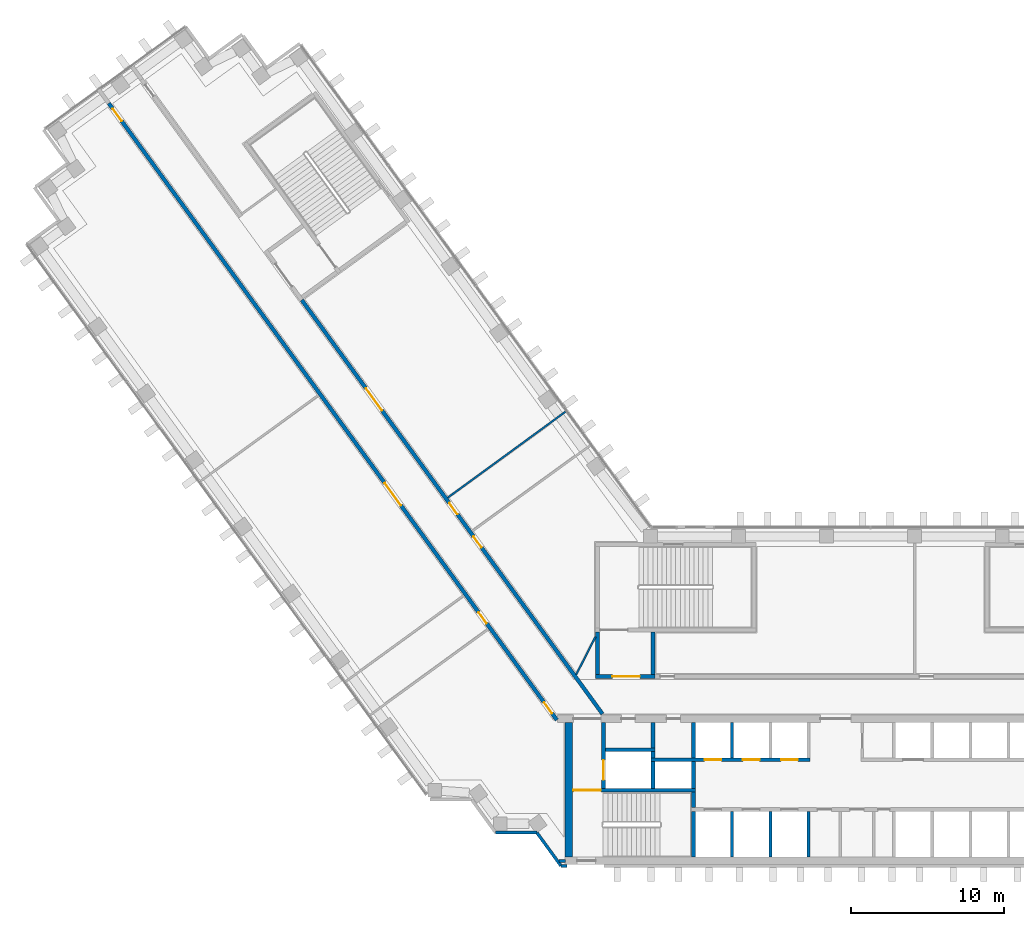
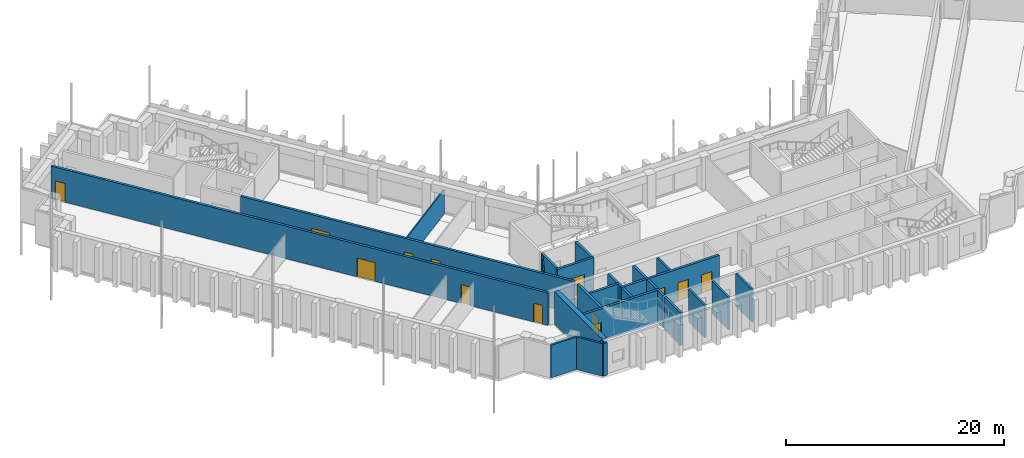
# One storey, part 9 of 16: 27 walls, 13 doors, 13 openings.
"""IFC4 building model written with IfcOpenShell, lengths in metres."""

from ifc_helpers import new_model, si_unit, direction, frame, frame_2d, origin, place, context, subcontext, project, spatial, rectangle, extrude, material, layer, layer_set, type_object, element, fill, save


model = new_model("IFC4")

# Units and contexts
model_context = context("Model", 3, precision=1e-05, world=origin(), true_north=direction((0.0, 1.0)))
body_context = subcontext(model_context, "Body", "Model", "MODEL_VIEW")
ifc_project = project(units=[si_unit("LENGTHUNIT", "METRE"), si_unit("AREAUNIT", "SQUARE_METRE"), si_unit("VOLUMEUNIT", "CUBIC_METRE"), si_unit("PLANEANGLEUNIT", "RADIAN"), si_unit("MASSUNIT", "GRAM", prefix="KILO")], contexts=[model_context])

# Site, building, storey
site_placement = place(None, origin())
site = spatial("IfcSite", under=ifc_project, at=site_placement, CompositionType="ELEMENT")
building_placement = place(site_placement, origin())
building = spatial("IfcBuilding", under=site, at=building_placement, Name="Quipu Civic Tower", CompositionType="ELEMENT")
storey_placement = place(building_placement, frame((0.0, 0.0, 89.0)))
storey = spatial("IfcBuildingStorey", under=building, at=storey_placement, Name="L20", CompositionType="ELEMENT", Elevation=89.0)

# Walls
ifc_material_1 = material(Name="Concrete C70/85", Category="concrete")
ifc_layer_1 = layer(ifc_material_1, 0.25)
ifc_layer_set_1 = layer_set([ifc_layer_1], Name="Concrete C70/85")
wall_type_1 = type_object("IfcWallType", Name="Core wall 250", PredefinedType="SHEAR", material=ifc_layer_set_1)
wall_1_placement = place(storey_placement, frame((-11.574951171875, -10.5, 0.0), z_axis=(0.0, 0.0, 1.0), x_axis=(0.0, 1.0, 0.0)))
element("IfcWall", 1, at=wall_1_placement, inside=storey, type_object=wall_type_1, Name="Core wall", PredefinedType="SHEAR", context=body_context, shape_type="SweptSolid", body=[
    extrude(rectangle(XDim=3.0, YDim=0.25, at=frame_2d((1.5, 0.0))), origin(), (0.0, 0.0, 1.0), 3.64990234375),
])
wall_2_placement = place(storey_placement, frame((-11.574951171875, -7.25, 0.0), z_axis=(0.0, 0.0, 1.0), x_axis=(0.0, 1.0, 0.0)))
element("IfcWall", 2, at=wall_2_placement, inside=storey, type_object=wall_type_1, Name="Core wall", PredefinedType="SHEAR", context=body_context, shape_type="SweptSolid", body=[
    extrude(rectangle(XDim=1.0, YDim=0.25, at=frame_2d((0.5, 0.0))), origin(), (0.0, 0.0, 1.0), 3.64990234375),
])

# Wall, opening, door
wall_3_placement = place(storey_placement, frame((-11.449951171875, -6.125, 0.0), z_axis=(0.0, 0.0, 1.0), x_axis=(-1.0, 0.0, 0.0)))
wall_3 = element("IfcWall", 3, at=wall_3_placement, inside=storey, type_object=wall_type_1, Name="Core wall", PredefinedType="SHEAR", context=body_context, shape_type="SweptSolid", body=[
    extrude(rectangle(XDim=8.050048828125, YDim=0.25, at=frame_2d((4.02490234375, 0.0))), origin(), (0.0, 0.0, 1.0), 3.64990234375),
])
opening_1_placement = place(wall_3_placement, frame((6.199951171875, 0.0, 0.0)))
opening_1 = element("IfcOpeningElement", 4, at=opening_1_placement, cuts=wall_3, Name="Opening CD-04", PredefinedType="OPENING", context=body_context, shape_type="SweptSolid", body=[
    extrude(rectangle(XDim=1.800048828125, YDim=2.10009765625, at=frame_2d((0.89990234375, 1.050048828125))), frame((0.0, 0.135009765625, 0.0), z_axis=(0.0, -1.0, 0.0), x_axis=(1.0, 0.0, 0.0)), (0.0, 0.0, 1.0), 0.27001953125),
])
ifc_material_2 = material(Name="Fire rated steel door", Category="steel")
door_type_1 = type_object("IfcDoorType", Name="Fire door FD90 double 1800 x 2100", OperationType="NOTDEFINED", PredefinedType="DOOR", material=ifc_material_2)
door_1_placement = place(opening_1_placement, origin())
door_1 = element("IfcDoor", 5, at=door_1_placement, inside=storey, type_object=door_type_1, Name="Door", OperationType="DOUBLE_DOOR_SINGLE_SWING", OverallHeight=2.10009765625, OverallWidth=1.800048828125, PredefinedType="DOOR", context=body_context, shape_type="SweptSolid", body=[
    extrude(rectangle(XDim=1.800048828125, YDim=2.10009765625, at=frame_2d((0.89990234375, 1.050048828125))), frame((0.0, 0.02490234375, 0.0), z_axis=(0.0, -1.0, 0.0), x_axis=(1.0, 0.0, 0.0)), (0.0, 0.0, 1.0), 0.050048828125),
])
fill(opening_1, door_1)

wall_4_placement = place(storey_placement, frame((-17.47509765625, -6.0, 0.0), z_axis=(0.0, 0.0, 1.0), x_axis=(0.0, 1.0, 0.0)))
wall_4 = element("IfcWall", 6, at=wall_4_placement, inside=storey, type_object=wall_type_1, Name="Core wall", PredefinedType="SHEAR", context=body_context, shape_type="SweptSolid", body=[
    extrude(rectangle(XDim=4.300048828125, YDim=0.25, at=frame_2d((2.14990234375, 0.0))), origin(), (0.0, 0.0, 1.0), 3.64990234375),
])
opening_2_placement = place(wall_4_placement, frame((0.550048828125, 0.0, 0.0)))
opening_2 = element("IfcOpeningElement", 7, at=opening_2_placement, cuts=wall_4, Name="Opening LD-FF1", PredefinedType="OPENING", context=body_context, shape_type="SweptSolid", body=[
    extrude(rectangle(XDim=1.300048828125, YDim=2.10009765625, at=frame_2d((0.64990234375, 1.050048828125))), frame((0.0, 0.135009765625, 0.0), z_axis=(0.0, -1.0, 0.0), x_axis=(1.0, 0.0, 0.0)), (0.0, 0.0, 1.0), 0.27001953125),
])
ifc_material_3 = material(Name="Stainless steel", Category="steel")
door_type_2 = type_object("IfcDoorType", Name="Lift landing door 1300 x 2100", OperationType="DOUBLE_DOOR_SLIDING", PredefinedType="DOOR", material=ifc_material_3)
door_2_placement = place(opening_2_placement, origin())
door_2 = element("IfcDoor", 8, at=door_2_placement, inside=storey, type_object=door_type_2, Name="Landing door FF1", OperationType="DOUBLE_DOOR_SLIDING", OverallHeight=2.10009765625, OverallWidth=1.300048828125, PredefinedType="DOOR", context=body_context, shape_type="SweptSolid", body=[
    extrude(rectangle(XDim=1.300048828125, YDim=2.10009765625, at=frame_2d((0.64990234375, 1.050048828125))), frame((0.0, 0.02490234375, 0.0), z_axis=(0.0, -1.0, 0.0), x_axis=(1.0, 0.0, 0.0)), (0.0, 0.0, 1.0), 0.050048828125),
])
fill(opening_2, door_2)

# Walls
for number, where, z_axis, x_axis, name in (
    (9, (-14.22509765625, -6.0, 0.0), (0.0, 0.0, 1.0), (0.0, 1.0, 0.0), "Core wall"),
    (10, (-11.574951171875, -6.0, 0.0), (0.0, 0.0, 1.0), (0.0, 1.0, 0.0), "Core wall"),
):
    element("IfcWall", number, at=place(storey_placement, frame(where, z_axis=z_axis, x_axis=x_axis)), inside=storey, type_object=wall_type_1, Name=name, PredefinedType="SHEAR", context=body_context, shape_type="SweptSolid", body=[
        extrude(rectangle(XDim=1.75, YDim=0.25, at=frame_2d((0.875, 0.0))), origin(), (0.0, 0.0, 1.0), 3.64990234375),
    ])

# Wall, openings, doors
wall_5_placement = place(storey_placement, frame((-14.35009765625, -4.125, 0.0), z_axis=(0.0, 0.0, 1.0), x_axis=(1.0, 0.0, 0.0)))
wall_5 = element("IfcWall", 11, at=wall_5_placement, inside=storey, type_object=wall_type_1, Name="Core wall", PredefinedType="SHEAR", context=body_context, shape_type="SweptSolid", body=[
    extrude(rectangle(XDim=10.400146484375, YDim=0.25, at=frame_2d((5.2001953125, 0.0))), origin(), (0.0, 0.0, 1.0), 3.64990234375),
])
opening_3_placement = place(wall_5_placement, frame((3.5, 0.0, 0.0)))
opening_3 = element("IfcOpeningElement", 12, at=opening_3_placement, cuts=wall_5, Name="Opening LD-LL4", PredefinedType="OPENING", context=body_context, shape_type="SweptSolid", body=[
    extrude(rectangle(XDim=1.10009765625, YDim=2.10009765625, at=frame_2d((0.550048828125, 1.050048828125))), frame((0.0, 0.135009765625, 0.0), z_axis=(0.0, -1.0, 0.0), x_axis=(1.0, 0.0, 0.0)), (0.0, 0.0, 1.0), 0.27001953125),
])
opening_4_placement = place(wall_5_placement, frame((6.0, 0.0, 0.0)))
opening_4 = element("IfcOpeningElement", 13, at=opening_4_placement, cuts=wall_5, Name="Opening LD-LL5", PredefinedType="OPENING", context=body_context, shape_type="SweptSolid", body=[
    extrude(rectangle(XDim=1.10009765625, YDim=2.10009765625, at=frame_2d((0.550048828125, 1.050048828125))), frame((0.0, 0.135009765625, 0.0), z_axis=(0.0, -1.0, 0.0), x_axis=(1.0, 0.0, 0.0)), (0.0, 0.0, 1.0), 0.27001953125),
])
opening_5_placement = place(wall_5_placement, frame((8.5, 0.0, 0.0)))
opening_5 = element("IfcOpeningElement", 14, at=opening_5_placement, cuts=wall_5, Name="Opening LD-LL6", PredefinedType="OPENING", context=body_context, shape_type="SweptSolid", body=[
    extrude(rectangle(XDim=1.10009765625, YDim=2.10009765625, at=frame_2d((0.550048828125, 1.050048828125))), frame((0.0, 0.135009765625, 0.0), z_axis=(0.0, -1.0, 0.0), x_axis=(1.0, 0.0, 0.0)), (0.0, 0.0, 1.0), 0.27001953125),
])
ifc_material_4 = material(Name="Stainless steel", Category="steel")
door_type_3 = type_object("IfcDoorType", Name="Lift landing door 1100 x 2100", OperationType="DOUBLE_DOOR_SLIDING", PredefinedType="DOOR", material=ifc_material_4)
door_3_placement = place(opening_3_placement, origin())
door_3 = element("IfcDoor", 15, at=door_3_placement, inside=storey, type_object=door_type_3, Name="Landing door LL4", OperationType="DOUBLE_DOOR_SLIDING", OverallHeight=2.10009765625, OverallWidth=1.10009765625, PredefinedType="DOOR", context=body_context, shape_type="SweptSolid", body=[
    extrude(rectangle(XDim=1.10009765625, YDim=2.10009765625, at=frame_2d((0.550048828125, 1.050048828125))), frame((0.0, 0.02490234375, 0.0), z_axis=(0.0, -1.0, 0.0), x_axis=(1.0, 0.0, 0.0)), (0.0, 0.0, 1.0), 0.050048828125),
])
fill(opening_3, door_3)
door_4_placement = place(opening_4_placement, origin())
door_4 = element("IfcDoor", 16, at=door_4_placement, inside=storey, type_object=door_type_3, Name="Landing door LL5", OperationType="DOUBLE_DOOR_SLIDING", OverallHeight=2.10009765625, OverallWidth=1.10009765625, PredefinedType="DOOR", context=body_context, shape_type="SweptSolid", body=[
    extrude(rectangle(XDim=1.10009765625, YDim=2.10009765625, at=frame_2d((0.550048828125, 1.050048828125))), frame((0.0, 0.02490234375, 0.0), z_axis=(0.0, -1.0, 0.0), x_axis=(1.0, 0.0, 0.0)), (0.0, 0.0, 1.0), 0.050048828125),
])
fill(opening_4, door_4)
door_5_placement = place(opening_5_placement, origin())
door_5 = element("IfcDoor", 17, at=door_5_placement, inside=storey, type_object=door_type_3, Name="Landing door LL6", OperationType="DOUBLE_DOOR_SLIDING", OverallHeight=2.10009765625, OverallWidth=1.10009765625, PredefinedType="DOOR", context=body_context, shape_type="SweptSolid", body=[
    extrude(rectangle(XDim=1.10009765625, YDim=2.10009765625, at=frame_2d((0.550048828125, 1.050048828125))), frame((0.0, 0.02490234375, 0.0), z_axis=(0.0, -1.0, 0.0), x_axis=(1.0, 0.0, 0.0)), (0.0, 0.0, 1.0), 0.050048828125),
])
fill(opening_5, door_5)

# Walls
wall_6_placement = place(storey_placement, frame((-14.22509765625, -4.0, 0.0), z_axis=(0.0, 0.0, 1.0), x_axis=(0.0, 1.0, 0.0)))
element("IfcWall", 18, at=wall_6_placement, inside=storey, type_object=wall_type_1, Name="Core wall", PredefinedType="SHEAR", context=body_context, shape_type="SweptSolid", body=[
    extrude(rectangle(XDim=0.39990234375, YDim=0.25, at=frame_2d((0.199951171875, 0.0))), origin(), (0.0, 0.0, 1.0), 3.64990234375),
])
wall_7_placement = place(storey_placement, frame((-11.574951171875, -4.0, 0.0), z_axis=(0.0, 0.0, 1.0), x_axis=(0.0, 1.0, 0.0)))
element("IfcWall", 19, at=wall_7_placement, inside=storey, type_object=wall_type_1, Name="Core wall", PredefinedType="SHEAR", context=body_context, shape_type="SweptSolid", body=[
    extrude(rectangle(XDim=2.300048828125, YDim=0.25, at=frame_2d((1.14990234375, 0.0))), origin(), (0.0, 0.0, 1.0), 3.64990234375),
])
wall_8_placement = place(storey_placement, frame((-17.35009765625, -3.47509765625, 0.0), z_axis=(0.0, 0.0, 1.0), x_axis=(1.0, 0.0, 0.0)))
element("IfcWall", 20, at=wall_8_placement, inside=storey, type_object=wall_type_1, Name="Core wall", PredefinedType="SHEAR", context=body_context, shape_type="SweptSolid", body=[
    extrude(rectangle(XDim=3.25, YDim=0.25, at=frame_2d((1.625, 0.0))), origin(), (0.0, 0.0, 1.0), 3.64990234375),
])
wall_9_placement = place(storey_placement, frame((-14.22509765625, -3.35009765625, 0.0), z_axis=(0.0, 0.0, 1.0), x_axis=(0.0, 1.0, 0.0)))
element("IfcWall", 21, at=wall_9_placement, inside=storey, type_object=wall_type_1, Name="Core wall", PredefinedType="SHEAR", context=body_context, shape_type="SweptSolid", body=[
    extrude(rectangle(XDim=1.650146484375, YDim=0.25, at=frame_2d((0.8251953125, 0.0))), origin(), (0.0, 0.0, 1.0), 3.64990234375),
])

# Wall, opening, door
wall_10_placement = place(storey_placement, frame((-18.0, 1.324951171875, 0.0), z_axis=(0.0, 0.0, 1.0), x_axis=(1.0, 0.0, 0.0)))
wall_10 = element("IfcWall", 22, at=wall_10_placement, inside=storey, type_object=wall_type_1, Name="Core wall", PredefinedType="SHEAR", context=body_context, shape_type="SweptSolid", body=[
    extrude(rectangle(XDim=3.89990234375, YDim=0.25, at=frame_2d((1.949951171875, 0.0))), origin(), (0.0, 0.0, 1.0), 3.64990234375),
])
opening_6_placement = place(wall_10_placement, frame((1.10009765625, 0.0, 0.0)))
opening_6 = element("IfcOpeningElement", 23, at=opening_6_placement, cuts=wall_10, Name="Opening CD-15", PredefinedType="OPENING", context=body_context, shape_type="SweptSolid", body=[
    extrude(rectangle(XDim=1.800048828125, YDim=2.10009765625, at=frame_2d((0.89990234375, 1.050048828125))), frame((0.0, 0.135009765625, 0.0), z_axis=(0.0, -1.0, 0.0), x_axis=(1.0, 0.0, 0.0)), (0.0, 0.0, 1.0), 0.27001953125),
])
door_6_placement = place(opening_6_placement, origin())
door_6 = element("IfcDoor", 24, at=door_6_placement, inside=storey, type_object=door_type_1, Name="Lobby door", OperationType="DOUBLE_DOOR_SINGLE_SWING", OverallHeight=2.10009765625, OverallWidth=1.800048828125, PredefinedType="DOOR", context=body_context, shape_type="SweptSolid", body=[
    extrude(rectangle(XDim=1.800048828125, YDim=2.10009765625, at=frame_2d((0.89990234375, 1.050048828125))), frame((0.0, 0.02490234375, 0.0), z_axis=(0.0, -1.0, 0.0), x_axis=(1.0, 0.0, 0.0)), (0.0, 0.0, 1.0), 0.050048828125),
])
fill(opening_6, door_6)

# Walls
for number, where, z_axis, x_axis, name in (
    (25, (-17.875, 1.449951171875, 0.0), (0.0, 0.0, 1.0), (0.0, 1.0, 0.0), "Core wall"),
    (26, (-14.22509765625, 1.449951171875, 0.0), (0.0, 0.0, 1.0), (0.0, 1.0, 0.0), "Core wall"),
):
    element("IfcWall", number, at=place(storey_placement, frame(where, z_axis=z_axis, x_axis=x_axis)), inside=storey, type_object=wall_type_1, Name=name, PredefinedType="SHEAR", context=body_context, shape_type="SweptSolid", body=[
        extrude(rectangle(XDim=2.800048828125, YDim=0.25, at=frame_2d((1.39990234375, 0.0))), origin(), (0.0, 0.0, 1.0), 3.64990234375),
    ])
ifc_material_5 = material(Name="Concrete C70/85", Category="concrete")
ifc_layer_2 = layer(ifc_material_5, 0.5)
ifc_layer_set_2 = layer_set([ifc_layer_2], Name="Concrete C70/85")
wall_type_2 = type_object("IfcWallType", Name="Core wall 500", PredefinedType="SHEAR", material=ifc_layer_set_2)
wall_11_placement = place(storey_placement, frame((-19.75, -10.5, 0.0), z_axis=(0.0, 0.0, 1.0), x_axis=(0.0, 1.0, 0.0)))
element("IfcWall", 27, at=wall_11_placement, inside=storey, type_object=wall_type_2, Name="Core wall", PredefinedType="SHEAR", context=body_context, shape_type="SweptSolid", body=[
    extrude(rectangle(XDim=8.800048828125, YDim=0.5, at=frame_2d((4.39990234375, 0.0))), origin(), (0.0, 0.0, 1.0), 3.64990234375),
])

# Wall, openings, doors
ifc_material_6 = material(Name="Concrete C50/60", Category="concrete")
ifc_layer_3 = layer(ifc_material_6, 0.25)
ifc_layer_set_3 = layer_set([ifc_layer_3], Name="Concrete C50/60")
wall_type_3 = type_object("IfcWallType", Name="Corridor wall 250 concrete", PredefinedType="SOLIDWALL", material=ifc_layer_set_3)
wall_12_placement = place(storey_placement, frame((-20.531005859375, -1.5234375, 0.0), z_axis=(0.0, 0.0, 1.0), x_axis=(-0.587784522481, 0.809017524614, 0.0)))
wall_12 = element("IfcWall", 28, at=wall_12_placement, inside=storey, type_object=wall_type_3, Name="Corridor wall C01", PredefinedType="SOLIDWALL", context=body_context, shape_type="SweptSolid", body=[
    extrude(rectangle(XDim=49.912353515625, YDim=0.25, at=frame_2d((24.9560546875, 0.0))), origin(), (0.0, 0.0, 1.0), 3.64990234375),
])
opening_7_placement = place(wall_12_placement, frame((0.53271484375, 0.0, 0.0)))
opening_7 = element("IfcOpeningElement", 29, at=opening_7_placement, cuts=wall_12, Name="Opening D015", PredefinedType="OPENING", context=body_context, shape_type="SweptSolid", body=[
    extrude(rectangle(XDim=0.89990234375, YDim=2.10009765625, at=frame_2d((0.449951171875, 1.050048828125))), frame((0.0, 0.135009765625, 0.0), z_axis=(0.0, -1.0, 0.0), x_axis=(1.0, 0.0, 0.0)), (0.0, 0.0, 1.0), 0.27001953125),
])
opening_8_placement = place(wall_12_placement, frame((48.470458984375, 0.0, 0.0)))
opening_8 = element("IfcOpeningElement", 30, at=opening_8_placement, cuts=wall_12, Name="Opening D012", PredefinedType="OPENING", context=body_context, shape_type="SweptSolid", body=[
    extrude(rectangle(XDim=1.0, YDim=2.10009765625, at=frame_2d((0.5, 1.050048828125))), frame((0.0, 0.135009765625, 0.0), z_axis=(0.0, -1.0, 0.0), x_axis=(1.0, 0.0, 0.0)), (0.0, 0.0, 1.0), 0.27001953125),
])
opening_9_placement = place(wall_12_placement, frame((17.365234375, 0.0, 0.0)))
opening_9 = element("IfcOpeningElement", 31, at=opening_9_placement, cuts=wall_12, Name="Opening D013", PredefinedType="OPENING", context=body_context, shape_type="SweptSolid", body=[
    extrude(rectangle(XDim=1.800048828125, YDim=2.10009765625, at=frame_2d((0.89990234375, 1.050048828125))), frame((0.0, 0.135009765625, 0.0), z_axis=(0.0, -1.0, 0.0), x_axis=(1.0, 0.0, 0.0)), (0.0, 0.0, 1.0), 0.27001953125),
])
opening_10_placement = place(wall_12_placement, frame((7.81591796875, 0.0, 0.0)))
opening_10 = element("IfcOpeningElement", 32, at=opening_10_placement, cuts=wall_12, Name="Opening D014", PredefinedType="OPENING", context=body_context, shape_type="SweptSolid", body=[
    extrude(rectangle(XDim=0.89990234375, YDim=2.10009765625, at=frame_2d((0.449951171875, 1.050048828125))), frame((0.0, 0.135009765625, 0.0), z_axis=(0.0, -1.0, 0.0), x_axis=(1.0, 0.0, 0.0)), (0.0, 0.0, 1.0), 0.27001953125),
])
ifc_material_7 = material(Name="Fire rated timber door set with metal frame", Category="wood")
door_type_4 = type_object("IfcDoorType", Name="Double door 1800 x 2100 FD60", OperationType="DOUBLE_DOOR_SINGLE_SWING", PredefinedType="DOOR", material=ifc_material_7)
door_7_placement = place(opening_9_placement, origin())
door_7 = element("IfcDoor", 33, at=door_7_placement, inside=storey, type_object=door_type_4, Name="Door D013", OperationType="DOUBLE_DOOR_SINGLE_SWING", OverallHeight=2.10009765625, OverallWidth=1.800048828125, PredefinedType="DOOR", context=body_context, shape_type="SweptSolid", body=[
    extrude(rectangle(XDim=1.800048828125, YDim=2.10009765625, at=frame_2d((0.89990234375, 1.050048828125))), frame((0.0, 0.02490234375, 0.0), z_axis=(0.0, -1.0, 0.0), x_axis=(1.0, 0.0, 0.0)), (0.0, 0.0, 1.0), 0.050048828125),
])
fill(opening_9, door_7)
ifc_material_8 = material(Name="Fire rated timber door set with metal frame", Category="wood")
door_type_5 = type_object("IfcDoorType", Name="Single door 1000 x 2100 FD60", OperationType="NOTDEFINED", PredefinedType="DOOR", material=ifc_material_8)
door_8_placement = place(opening_8_placement, origin())
door_8 = element("IfcDoor", 34, at=door_8_placement, inside=storey, type_object=door_type_5, Name="Door D012", OperationType="SINGLE_SWING_RIGHT", OverallHeight=2.10009765625, OverallWidth=1.0, PredefinedType="DOOR", context=body_context, shape_type="SweptSolid", body=[
    extrude(rectangle(XDim=1.0, YDim=2.10009765625, at=frame_2d((0.5, 1.050048828125))), frame((0.0, 0.02490234375, 0.0), z_axis=(0.0, -1.0, 0.0), x_axis=(1.0, 0.0, 0.0)), (0.0, 0.0, 1.0), 0.050048828125),
])
fill(opening_8, door_8)
ifc_material_9 = material(Name="Fire rated timber door set with metal frame", Category="wood")
door_type_6 = type_object("IfcDoorType", Name="Single door 900 x 2100 FD60", OperationType="NOTDEFINED", PredefinedType="DOOR", material=ifc_material_9)
door_9_placement = place(opening_7_placement, origin())
door_9 = element("IfcDoor", 35, at=door_9_placement, inside=storey, type_object=door_type_6, Name="Door D015", OperationType="SINGLE_SWING_LEFT", OverallHeight=2.10009765625, OverallWidth=0.89990234375, PredefinedType="DOOR", context=body_context, shape_type="SweptSolid", body=[
    extrude(rectangle(XDim=0.89990234375, YDim=2.10009765625, at=frame_2d((0.449951171875, 1.050048828125))), frame((0.0, 0.02490234375, 0.0), z_axis=(0.0, -1.0, 0.0), x_axis=(1.0, 0.0, 0.0)), (0.0, 0.0, 1.0), 0.050048828125),
])
fill(opening_7, door_9)
door_10_placement = place(opening_10_placement, origin())
door_10 = element("IfcDoor", 36, at=door_10_placement, inside=storey, type_object=door_type_6, Name="Door D014", OperationType="SINGLE_SWING_LEFT", OverallHeight=2.10009765625, OverallWidth=0.89990234375, PredefinedType="DOOR", context=body_context, shape_type="SweptSolid", body=[
    extrude(rectangle(XDim=0.89990234375, YDim=2.10009765625, at=frame_2d((0.449951171875, 1.050048828125))), frame((0.0, 0.02490234375, 0.0), z_axis=(0.0, -1.0, 0.0), x_axis=(1.0, 0.0, 0.0)), (0.0, 0.0, 1.0), 0.050048828125),
])
fill(opening_10, door_10)

wall_13_placement = place(storey_placement, frame((-37.231689453125, 25.9716796875, 0.0), z_axis=(0.0, 0.0, 1.0), x_axis=(0.587786323093, -0.809016216391, 0.0)))
wall_13 = element("IfcWall", 37, at=wall_13_placement, inside=storey, type_object=wall_type_3, Name="Corridor wall C03", PredefinedType="SOLIDWALL", context=body_context, shape_type="SweptSolid", body=[
    extrude(rectangle(XDim=33.4931640625, YDim=0.25, at=frame_2d((16.74658203125, 0.0))), origin(), (0.0, 0.0, 1.0), 3.64990234375),
])
opening_11_placement = place(wall_13_placement, frame((19.13525390625, 0.0, 0.0)))
opening_11 = element("IfcOpeningElement", 38, at=opening_11_placement, cuts=wall_13, Name="Opening D011", PredefinedType="OPENING", context=body_context, shape_type="SweptSolid", body=[
    extrude(rectangle(XDim=0.89990234375, YDim=2.10009765625, at=frame_2d((0.449951171875, 1.050048828125))), frame((0.0, 0.135009765625, 0.0), z_axis=(0.0, -1.0, 0.0), x_axis=(1.0, 0.0, 0.0)), (0.0, 0.0, 1.0), 0.27001953125),
])
opening_12_placement = place(wall_13_placement, frame((7.13720703125, 0.0, 0.0)))
opening_12 = element("IfcOpeningElement", 39, at=opening_12_placement, cuts=wall_13, Name="Opening D009", PredefinedType="OPENING", context=body_context, shape_type="SweptSolid", body=[
    extrude(rectangle(XDim=1.800048828125, YDim=2.10009765625, at=frame_2d((0.89990234375, 1.050048828125))), frame((0.0, 0.135009765625, 0.0), z_axis=(0.0, -1.0, 0.0), x_axis=(1.0, 0.0, 0.0)), (0.0, 0.0, 1.0), 0.27001953125),
])
opening_13_placement = place(wall_13_placement, frame((16.434814453125, 0.0, 0.0)))
opening_13 = element("IfcOpeningElement", 40, at=opening_13_placement, cuts=wall_13, Name="Opening D010", PredefinedType="OPENING", context=body_context, shape_type="SweptSolid", body=[
    extrude(rectangle(XDim=0.89990234375, YDim=2.10009765625, at=frame_2d((0.449951171875, 1.050048828125))), frame((0.0, 0.135009765625, 0.0), z_axis=(0.0, -1.0, 0.0), x_axis=(1.0, 0.0, 0.0)), (0.0, 0.0, 1.0), 0.27001953125),
])
door_11_placement = place(opening_12_placement, origin())
door_11 = element("IfcDoor", 41, at=door_11_placement, inside=storey, type_object=door_type_4, Name="Door D009", OperationType="DOUBLE_DOOR_SINGLE_SWING", OverallHeight=2.10009765625, OverallWidth=1.800048828125, PredefinedType="DOOR", context=body_context, shape_type="SweptSolid", body=[
    extrude(rectangle(XDim=1.800048828125, YDim=2.10009765625, at=frame_2d((0.89990234375, 1.050048828125))), frame((0.0, 0.02490234375, 0.0), z_axis=(0.0, -1.0, 0.0), x_axis=(1.0, 0.0, 0.0)), (0.0, 0.0, 1.0), 0.050048828125),
])
fill(opening_12, door_11)
door_12_placement = place(opening_11_placement, origin())
door_12 = element("IfcDoor", 42, at=door_12_placement, inside=storey, type_object=door_type_6, Name="Door D011", OperationType="SINGLE_SWING_LEFT", OverallHeight=2.10009765625, OverallWidth=0.89990234375, PredefinedType="DOOR", context=body_context, shape_type="SweptSolid", body=[
    extrude(rectangle(XDim=0.89990234375, YDim=2.10009765625, at=frame_2d((0.449951171875, 1.050048828125))), frame((0.0, 0.02490234375, 0.0), z_axis=(0.0, -1.0, 0.0), x_axis=(1.0, 0.0, 0.0)), (0.0, 0.0, 1.0), 0.050048828125),
])
fill(opening_11, door_12)
door_13_placement = place(opening_13_placement, origin())
door_13 = element("IfcDoor", 43, at=door_13_placement, inside=storey, type_object=door_type_6, Name="Door D010", OperationType="SINGLE_SWING_LEFT", OverallHeight=2.10009765625, OverallWidth=0.89990234375, PredefinedType="DOOR", context=body_context, shape_type="SweptSolid", body=[
    extrude(rectangle(XDim=0.89990234375, YDim=2.10009765625, at=frame_2d((0.449951171875, 1.050048828125))), frame((0.0, 0.02490234375, 0.0), z_axis=(0.0, -1.0, 0.0), x_axis=(1.0, 0.0, 0.0)), (0.0, 0.0, 1.0), 0.050048828125),
])
fill(opening_13, door_13)

# Walls
ifc_material_10 = material(Name="Gypsum plasterboard on light gauge framing")
ifc_layer_4 = layer(ifc_material_10, 0.1201171875)
ifc_layer_set_4 = layer_set([ifc_layer_4], Name="Gypsum plasterboard on light gauge framing")
wall_type_4 = type_object("IfcWallType", Name="Partition 120 plasterboard", PredefinedType="PARTITIONING", material=ifc_layer_set_4)
wall_14_placement = place(storey_placement, frame((-27.676025390625, 13.031982421875, 0.0), z_axis=(0.0, 0.0, 1.0), x_axis=(0.807606997933, 0.589721067023, 0.0)))
element("IfcWall", 44, at=wall_14_placement, inside=storey, type_object=wall_type_4, Name="Partition P07", PredefinedType="PARTITIONING", context=body_context, shape_type="SweptSolid", body=[
    extrude(rectangle(XDim=9.550048828125, YDim=0.1201171875, at=frame_2d((4.77490234375, 0.0))), origin(), (0.0, 0.0, 1.0), 2.75),
])
wall_15_placement = place(storey_placement, frame((-19.260986328125, 1.449951171875, 0.0), z_axis=(0.0, 0.0, 1.0), x_axis=(0.453950796792, 0.891026752736, 0.0)))
element("IfcWall", 45, at=wall_15_placement, inside=storey, type_object=wall_type_4, Name="Partition P10", PredefinedType="PARTITIONING", context=body_context, shape_type="SweptSolid", body=[
    extrude(rectangle(XDim=2.77783203125, YDim=0.1201171875, at=frame_2d((1.388916015625, 0.0))), origin(), (0.0, 0.0, 1.0), 3.64990234375),
])
ifc_material_11 = material(Name="Precast concrete C40/50", Category="concrete")
wall_type_5 = type_object("IfcWallType", Name="Precast cladding wall", PredefinedType="SOLIDWALL", material=ifc_material_11)
wall_16_placement = place(storey_placement, frame((-24.542724609375, -8.90380859375, 0.0), z_axis=(0.0, 0.0, 1.0), x_axis=(1.0, 0.0, 0.0)))
element("IfcWall", 46, at=wall_16_placement, inside=storey, type_object=wall_type_5, Name="Precast cladding wall L20 P26", PredefinedType="SOLIDWALL", context=body_context, shape_type="SweptSolid", body=[
    extrude(rectangle(XDim=2.699951171875, YDim=0.199951171875, at=frame_2d((1.35009765625, 0.0))), origin(), (0.0, 0.0, 1.0), 3.64990234375),
])
wall_17_placement = place(storey_placement, frame((-21.8330078125, -8.90869140625, 0.0), z_axis=(0.0, 0.0, 1.0), x_axis=(0.587766567315, -0.809030569476, 0.0)))
element("IfcWall", 47, at=wall_17_placement, inside=storey, type_object=wall_type_5, Name="Precast cladding wall L20 P27", PredefinedType="SOLIDWALL", context=body_context, shape_type="SweptSolid", body=[
    extrude(rectangle(XDim=2.687744140625, YDim=0.199951171875, at=frame_2d((1.34375, 0.0))), origin(), (0.0, 0.0, 1.0), 3.64990234375),
])
wall_18_placement = place(storey_placement, frame((-20.255859375, -11.087890625, 0.0), z_axis=(0.0, 0.0, 1.0), x_axis=(1.0, 0.0, 0.0)))
element("IfcWall", 48, at=wall_18_placement, inside=storey, type_object=wall_type_5, Name="Precast cladding wall L20 P28", PredefinedType="SOLIDWALL", context=body_context, shape_type="SweptSolid", body=[
    extrude(rectangle(XDim=0.40576171875, YDim=0.199951171875, at=frame_2d((0.202880859375, 0.0))), origin(), (0.0, 0.0, 1.0), 3.64990234375),
])
wall_19_placement = place(storey_placement, frame((-19.97998046875, -10.75, 0.0), z_axis=(0.0, 0.0, 1.0), x_axis=(-1.0, 0.0, 0.0)))
element("IfcWall", 49, at=wall_19_placement, inside=storey, type_object=wall_type_5, Name="Precast cladding return L20 W", PredefinedType="SOLIDWALL", context=body_context, shape_type="SweptSolid", body=[
    extrude(rectangle(XDim=0.41650390625, YDim=0.199951171875, at=frame_2d((0.208251953125, 0.0))), origin(), (0.0, 0.0, 1.0), 3.64990234375),
])
ifc_material_12 = material(Name="Concrete C40/50", Category="concrete")
ifc_layer_5 = layer(ifc_material_12, 0.199951171875)
ifc_layer_set_5 = layer_set([ifc_layer_5], Name="Concrete C40/50")
wall_type_6 = type_object("IfcWallType", Name="Shaft wall 200", PredefinedType="SOLIDWALL", material=ifc_layer_set_5)
for number, where, z_axis, x_axis, name in (
    (50, (-9.050048828125, -10.5, 0.0), (0.0, 0.0, 1.0), (0.0, 1.0, 0.0), "Shaft wall"),
    (51, (-6.550048828125, -10.5, 0.0), (0.0, 0.0, 1.0), (0.0, 1.0, 0.0), "Shaft wall"),
    (52, (-4.050048828125, -10.5, 0.0), (0.0, 0.0, 1.0), (0.0, 1.0, 0.0), "Shaft wall"),
):
    element("IfcWall", number, at=place(storey_placement, frame(where, z_axis=z_axis, x_axis=x_axis)), inside=storey, type_object=wall_type_6, Name=name, PredefinedType="SOLIDWALL", context=body_context, shape_type="SweptSolid", body=[
        extrude(rectangle(XDim=3.0, YDim=0.199951171875, at=frame_2d((1.5, 0.0))), origin(), (0.0, 0.0, 1.0), 3.64990234375),
    ])
wall_20_placement = place(storey_placement, frame((-9.050048828125, -4.0, 0.0), z_axis=(0.0, 0.0, 1.0), x_axis=(0.0, 1.0, 0.0)))
element("IfcWall", 53, at=wall_20_placement, inside=storey, type_object=wall_type_6, Name="Shaft wall", PredefinedType="SOLIDWALL", context=body_context, shape_type="SweptSolid", body=[
    extrude(rectangle(XDim=2.300048828125, YDim=0.199951171875, at=frame_2d((1.14990234375, 0.0))), origin(), (0.0, 0.0, 1.0), 3.64990234375),
])

save(model, "model.ifc")
